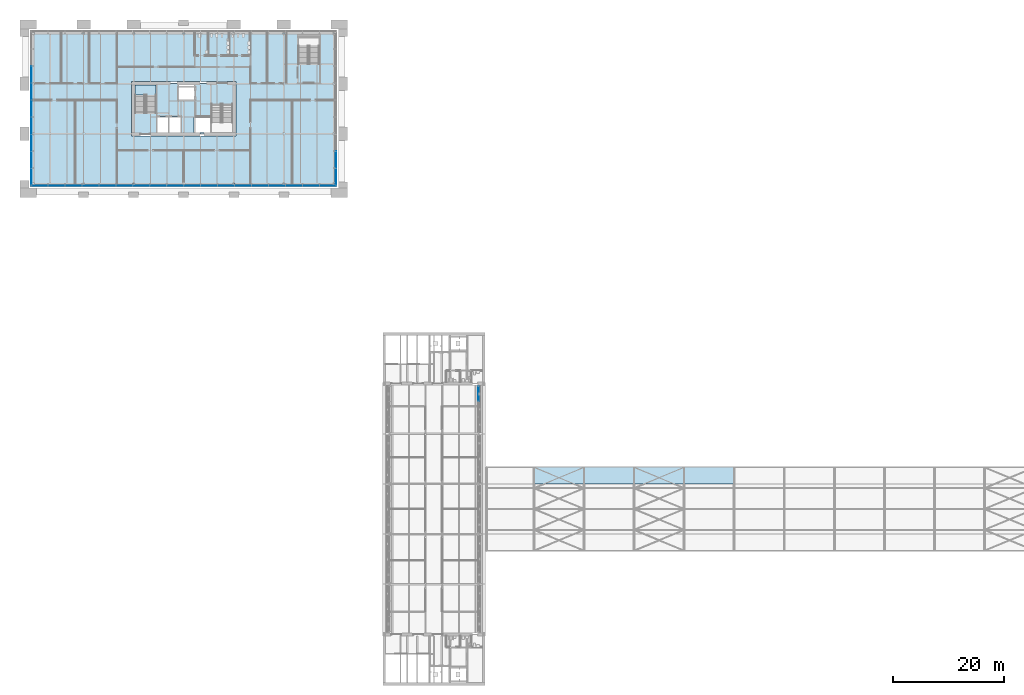
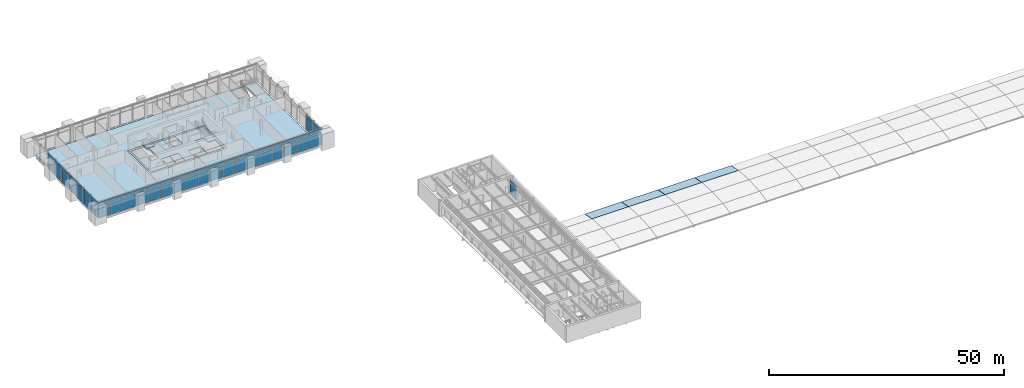
# One storey, part 17 of 43: 56 plates, 7 slabs, 5 elements without a shape of their own.
"""IFC4 building model written with IfcOpenShell, lengths in metres."""

import ifcopenshell
import ifcopenshell.guid

model = None  # the IFC model being written
_history = None  # IfcOwnerHistory: only IFC2X3 demands one
_inside = {}  # id of a spatial element -> (the spatial element, [elements in it])
_under = {}  # id of a project, library or spatial element -> (it, [spatial elements below it])
_declared = {}  # id of a project -> (the project, [libraries it declares])
_typed = {}  # id of a type object -> (the type object, [elements of that type])
_made_of = {}  # id of a material, layer set ... -> (it, [elements and type objects made of it])


def new_model(schema):
    """Start an empty IFC model of exactly this schema.

    Asked for "IFC4X3", IfcOpenShell would pick the latest addendum, in which some entities
    have other attributes; the version numbers below select the first issue.
    IFC2X3 requires an IfcOwnerHistory on every rooted entity: one is made here for all.
    """
    global model, _history
    if schema == "IFC4X3":
        model = ifcopenshell.file(schema_version=(4, 3, 0, 0))
    else:
        model = ifcopenshell.file(schema=schema)
    _inside.clear()
    _under.clear()
    _declared.clear()
    _typed.clear()
    _made_of.clear()
    _history = None
    if model.schema == "IFC2X3":
        org = make("IfcOrganization", Name="unknown")
        user = make(
            "IfcPersonAndOrganization",
            ThePerson=make("IfcPerson", FamilyName="unknown"),
            TheOrganization=org,
        )
        app = make(
            "IfcApplication",
            ApplicationDeveloper=org,
            Version="unknown",
            ApplicationFullName="unknown",
            ApplicationIdentifier="unknown",
        )
        _history = make(
            "IfcOwnerHistory",
            OwningUser=user,
            OwningApplication=app,
            ChangeAction="ADDED",
            CreationDate=0,
        )
    return model


def make(cls, **values):
    """One entity of the class cls with the attributes given. An attribute that is None is left unset."""
    return model.create_entity(
        cls, **{name: value for name, value in values.items() if value is not None}
    )


def rooted(cls, **values):
    """An entity with a GlobalId (a new one), such as an element, a storey or a relation."""
    return make(cls, GlobalId=ifcopenshell.guid.new(), OwnerHistory=_history, **values)


def si_unit(unit_type, name, prefix=None):
    """IfcSIUnit, for example si_unit("LENGTHUNIT", "METRE", prefix="MILLI")."""
    return make("IfcSIUnit", UnitType=unit_type, Prefix=prefix, Name=name)


def assignment(units):
    """IfcUnitAssignment: the units of a project."""
    return None if units is None else make("IfcUnitAssignment", Units=units)


def point(xyz):
    """IfcCartesianPoint."""
    return None if xyz is None else make("IfcCartesianPoint", Coordinates=xyz)


def direction(xyz):
    """IfcDirection."""
    return None if xyz is None else make("IfcDirection", DirectionRatios=xyz)


def frame(location, z_axis=None, x_axis=None):
    """IfcAxis2Placement3D, a coordinate frame: its origin and axes. An axis left out is left unset."""
    return make(
        "IfcAxis2Placement3D",
        Location=point(location),
        Axis=direction(z_axis),
        RefDirection=direction(x_axis),
    )


def frame_2d(location, x_axis=None):
    """IfcAxis2Placement2D, a coordinate frame in the plane: its origin and x axis."""
    return make(
        "IfcAxis2Placement2D", Location=point(location), RefDirection=direction(x_axis)
    )


def origin():
    """The frame at (0, 0, 0) with its axes left unset."""
    return frame((0.0, 0.0, 0.0))


def origin_2d():
    """The frame at (0, 0) in the plane with its x axis left unset."""
    return frame_2d((0.0, 0.0))


def place(relative_to, where):
    """IfcLocalPlacement: puts the frame where relative to a parent placement (None: the world)."""
    return make(
        "IfcLocalPlacement", PlacementRelTo=relative_to, RelativePlacement=where
    )


def context(
    kind, dimensions, precision=None, world=None, true_north=None, identifier=None
):
    """IfcGeometricRepresentationContext, for example the 3D "Model" context."""
    return make(
        "IfcGeometricRepresentationContext",
        ContextIdentifier=identifier,
        ContextType=kind,
        CoordinateSpaceDimension=dimensions,
        Precision=precision,
        WorldCoordinateSystem=world,
        TrueNorth=true_north,
    )


def subcontext(parent, identifier, kind, view, scale=None):
    """IfcGeometricRepresentationSubContext, for example "Body" below "Model"."""
    return make(
        "IfcGeometricRepresentationSubContext",
        ContextIdentifier=identifier,
        ContextType=kind,
        ParentContext=parent,
        TargetScale=scale,
        TargetView=view,
    )


def project(units=None, contexts=None):
    """IfcProject with its units and contexts."""
    return rooted(
        "IfcProject",
        Name="project",
        RepresentationContexts=contexts,
        UnitsInContext=assignment(units),
    )


def spatial(cls, under=None, at=None, **own):
    """A site, building, storey or space (cls), placed at a placement, below another one or the project."""
    s = rooted(cls, ObjectPlacement=at, **own)
    if under is not None:
        _under.setdefault(under.id(), (under, []))[1].append(s)
    return s


def polyline(points):
    """IfcPolyline through the points."""
    return make("IfcPolyline", Points=[point(p) for p in points])


def profile(cls, at=None, kind="AREA", **sizes):
    """A parametric profile (cls). Its sizes go by their IFC names, for example OverallWidth=200.0."""
    return make(cls, ProfileType=kind, Position=at, **sizes)


def rectangle(**sizes):
    """IfcRectangleProfileDef."""
    return profile("IfcRectangleProfileDef", **sizes)


def outline(outer, holes=None, kind="AREA"):
    """IfcArbitraryClosedProfileDef: a profile drawn as a closed curve; with holes, ...WithVoids."""
    if holes is None:
        return make("IfcArbitraryClosedProfileDef", ProfileType=kind, OuterCurve=outer)
    return make(
        "IfcArbitraryProfileDefWithVoids",
        ProfileType=kind,
        OuterCurve=outer,
        InnerCurves=holes,
    )


def extrude(swept, where, along, depth):
    """IfcExtrudedAreaSolid: the profile swept, set in the frame where, extruded along a direction by depth."""
    return make(
        "IfcExtrudedAreaSolid",
        SweptArea=swept,
        Position=where,
        ExtrudedDirection=direction(along),
        Depth=depth,
    )


def shape(context_of_items, identifier, shape_type, items):
    """IfcShapeRepresentation: the items that make up one representation, for example the "Body"."""
    return make(
        "IfcShapeRepresentation",
        ContextOfItems=context_of_items,
        RepresentationIdentifier=identifier,
        RepresentationType=shape_type,
        Items=items,
    )


def material(Name=None, Category=None):
    """IfcMaterial."""
    return make("IfcMaterial", Name=Name, Category=Category)


def layer(
    of_material, thickness, ventilated=None, Name=None, Category=None, Priority=None
):
    """IfcMaterialLayer: one layer of a wall or slab, of a material (None: an air gap)."""
    return make(
        "IfcMaterialLayer",
        Material=of_material,
        LayerThickness=thickness,
        IsVentilated=ventilated,
        Name=Name,
        Category=Category,
        Priority=Priority,
    )


def layer_set(layers, Name=None):
    """IfcMaterialLayerSet."""
    return make("IfcMaterialLayerSet", MaterialLayers=layers, LayerSetName=Name)


def made_of(thing, what):
    """Note that an element or type object is made of a material, layer set ...; save() writes the relation."""
    if what is not None:
        _made_of.setdefault(what.id(), (what, []))[1].append(thing)
    return thing


def type_object(cls, material=None, **own):
    """A type object (cls), such as IfcWallType, which elements share."""
    return made_of(rooted(cls, **own), material)


def element(
    cls,
    number,
    at=None,
    inside=None,
    cuts=None,
    type_object=None,
    material=None,
    context=None,
    identifier="Body",
    shape_type=None,
    held_by="IfcProductDefinitionShape",
    body=None,
    shapes=None,
    **own,
):
    """One element of the class cls, such as IfcWall. Its Tag is "e" and its number.

    at: its placement. inside: the storey or other place that contains it. cuts: it is an
    opening in that element (IfcRelVoidsElement). A single representation is given by context,
    identifier, shape_type and body (its items); several are given by shapes. held_by: the class
    of the entity that holds the representations. save() writes the other relations.
    """
    e = rooted(cls, Tag="e%d" % number, ObjectPlacement=at, **own)
    if body is not None:
        shapes = [shape(context, identifier, shape_type, body)]
    if shapes is not None:
        e.Representation = make(held_by, Representations=shapes)
    if inside is not None:
        _inside.setdefault(inside.id(), (inside, []))[1].append(e)
    if cuts is not None:
        rooted(
            "IfcRelVoidsElement", RelatingBuildingElement=cuts, RelatedOpeningElement=e
        )
    if type_object is not None:
        _typed.setdefault(type_object.id(), (type_object, []))[1].append(e)
    return made_of(e, material)


def aggregate(whole, parts):
    """IfcRelAggregates: a whole, such as a stair, and the parts it consists of."""
    return rooted("IfcRelAggregates", RelatingObject=whole, RelatedObjects=parts)


def save(model, path):
    """Write the relations noted so far, then the file.

    IfcRelAggregates (storeys below a building ...), IfcRelContainedInSpatialStructure (elements
    in a storey), IfcRelDefinesByType, IfcRelAssociatesMaterial and IfcRelDeclares: one each for
    every whole, place, type object, material and project.
    """
    for whole, parts in _under.values():
        aggregate(whole, parts)
    for where, things in _inside.values():
        rooted(
            "IfcRelContainedInSpatialStructure",
            RelatedElements=things,
            RelatingStructure=where,
        )
    for kind, things in _typed.values():
        rooted("IfcRelDefinesByType", RelatedObjects=things, RelatingType=kind)
    for what, things in _made_of.values():
        rooted("IfcRelAssociatesMaterial", RelatedObjects=things, RelatingMaterial=what)
    for by, libraries in _declared.values():
        rooted("IfcRelDeclares", RelatingContext=by, RelatedDefinitions=libraries)
    model.write(path)


model = new_model("IFC4")

# Units and contexts
model_context = context("Model", 3, precision=1e-05, world=origin(), true_north=direction((0.0, 1.0)))
body_context = subcontext(model_context, "Body", "Model", "MODEL_VIEW")
ifc_project = project(units=[si_unit("LENGTHUNIT", "METRE"), si_unit("AREAUNIT", "SQUARE_METRE"), si_unit("VOLUMEUNIT", "CUBIC_METRE"), si_unit("PLANEANGLEUNIT", "RADIAN"), si_unit("MASSUNIT", "GRAM", prefix="KILO")], contexts=[model_context])

# Site, building, storey
site_placement = place(None, origin())
site = spatial("IfcSite", under=ifc_project, at=site_placement, CompositionType="ELEMENT")
building_placement = place(site_placement, origin())
building = spatial("IfcBuilding", under=site, at=building_placement, Name="Baradari Gate Terminus", CompositionType="ELEMENT")
storey_placement = place(building_placement, frame((0.0, 0.0, 20.10009765625)))
storey = spatial("IfcBuildingStorey", under=building, at=storey_placement, Name="L04", CompositionType="ELEMENT", Elevation=20.10009765625)

# Slabs
ifc_material_1 = material(Name="Concrete C35/45", Category="concrete")
ifc_layer_1 = layer(ifc_material_1, 0.1298828125)
ifc_layer_set_1 = layer_set([ifc_layer_1], Name="Concrete C35/45")
slab_type_1 = type_object("IfcSlabType", Name="Composite floor slab SL1 130", PredefinedType="FLOOR", material=ifc_layer_set_1)
slab_1_placement = place(storey_placement, frame((0.0, 0.0, -0.130126953125)))
element("IfcSlab", 1, at=slab_1_placement, inside=storey, type_object=slab_type_1, Name="Block floor", PredefinedType="FLOOR", context=body_context, shape_type="SweptSolid", body=[
    extrude(outline(polyline([(63.0, 117.0), (63.0, 144.0), (9.0, 144.0), (9.0, 117.0), (63.0, 117.0)]), holes=[polyline([(56.60009765625, 143.60009765625), (56.60009765625, 140.320068359375), (58.39990234375, 140.320068359375), (58.39990234375, 138.5), (60.39990234375, 138.5), (60.39990234375, 143.60009765625), (56.60009765625, 143.60009765625)]), polyline([(45.375, 134.77490234375), (45.375, 135.375), (26.625, 135.375), (26.625, 134.77490234375), (26.625, 126.22509765625), (26.625, 125.625), (45.375, 125.625), (45.375, 126.22509765625), (45.375, 134.77490234375)])]), origin(), (0.0, 0.0, 1.0), 0.130126953125),
])
slab_2_placement = place(storey_placement, frame((0.0, 0.0, -0.130126953125)))
element("IfcSlab", 2, at=slab_2_placement, inside=storey, type_object=slab_type_1, Name="Core floor CT", PredefinedType="FLOOR", context=body_context, shape_type="SweptSolid", body=[
    extrude(outline(polyline([(27.0, 135.0), (27.0, 126.0), (45.0, 126.0), (45.0, 135.0), (27.0, 135.0)]), holes=[polyline([(44.77490234375, 126.22509765625), (44.77490234375, 129.5048828125), (42.97509765625, 129.5048828125), (42.97509765625, 131.324951171875), (40.97509765625, 131.324951171875), (40.97509765625, 126.22509765625), (44.77490234375, 126.22509765625)]), polyline([(40.77490234375, 128.925048828125), (37.824951171875, 128.925048828125), (37.824951171875, 126.22509765625), (40.77490234375, 126.22509765625), (40.77490234375, 128.925048828125)]), polyline([(38.02490234375, 131.875), (38.02490234375, 134.77490234375), (35.125, 134.77490234375), (35.125, 131.875), (38.02490234375, 131.875)]), polyline([(35.425048828125, 129.125), (33.425048828125, 129.125), (33.425048828125, 126.22509765625), (35.425048828125, 126.22509765625), (35.425048828125, 129.125)]), polyline([(31.22509765625, 129.125), (31.22509765625, 126.22509765625), (33.22509765625, 126.22509765625), (33.22509765625, 129.125), (31.22509765625, 129.125)]), polyline([(27.22509765625, 134.77490234375), (27.22509765625, 131.4951171875), (29.02490234375, 131.4951171875), (29.02490234375, 129.675048828125), (31.02490234375, 129.675048828125), (31.02490234375, 134.77490234375), (27.22509765625, 134.77490234375)])]), origin(), (0.0, 0.0, 1.0), 0.130126953125),
])

# Curtain wall, plates
ifc_material_2 = material(Name="Aluminium 6063-T6", Category="aluminium")
curtain_wall_type_1 = type_object("IfcCurtainWallType", Name="Curtain wall CW-1 block unitised, zone L02-L05", PredefinedType="NOTDEFINED", material=ifc_material_2)
curtain_wall_1_placement = place(storey_placement, origin())
curtain_wall_1 = element("IfcCurtainWall", 3, at=curtain_wall_1_placement, inside=storey, type_object=curtain_wall_type_1, Name="Curtain wall CW-1 Operations block S face L04", PredefinedType="NOTDEFINED")
ifc_material_3 = material(Name="Insulating glass unit", Category="glass")
ifc_layer_2 = layer(ifc_material_3, 0.030029296875)
ifc_layer_set_2 = layer_set([ifc_layer_2], Name="Insulating glass unit")
plate_type_1 = type_object("IfcPlateType", Name="Curtain wall glazing unit CP-1 30", PredefinedType="CURTAIN_PANEL", material=ifc_layer_set_2)
plate_1_placement = place(storey_placement, frame((10.072265625, 116.6298828125, 0.06494140625), z_axis=(0.0, 0.0, 1.0), x_axis=(1.0, 0.0, 0.0)))
plate_1 = element("IfcPlate", 4, at=plate_1_placement, type_object=plate_type_1, Name="CW-1 panel 1.1", PredefinedType="CURTAIN_PANEL", context=body_context, shape_type="SweptSolid", body=[
    extrude(rectangle(XDim=2.954833984375, YDim=0.030029296875, at=origin_2d()), origin(), (0.0, 0.0, 1.0), 3.202392578125),
])
plate_2_placement = place(storey_placement, frame((13.1083984375, 116.6298828125, 0.06494140625), z_axis=(0.0, 0.0, 1.0), x_axis=(1.0, 0.0, 0.0)))
plate_2 = element("IfcPlate", 5, at=plate_2_placement, type_object=plate_type_1, Name="CW-1 panel 2.1", PredefinedType="CURTAIN_PANEL", context=body_context, shape_type="SweptSolid", body=[
    extrude(rectangle(XDim=2.9873046875, YDim=0.030029296875, at=origin_2d()), origin(), (0.0, 0.0, 1.0), 3.202392578125),
])
plate_3_placement = place(storey_placement, frame((16.16064453125, 116.6298828125, 0.06494140625), z_axis=(0.0, 0.0, 1.0), x_axis=(1.0, 0.0, 0.0)))
plate_3 = element("IfcPlate", 6, at=plate_3_placement, type_object=plate_type_1, Name="CW-1 panel 3.1", PredefinedType="CURTAIN_PANEL", context=body_context, shape_type="SweptSolid", body=[
    extrude(rectangle(XDim=2.9873046875, YDim=0.030029296875, at=origin_2d()), origin(), (0.0, 0.0, 1.0), 3.202392578125),
])
plate_4_placement = place(storey_placement, frame((19.212890625, 116.6298828125, 0.06494140625), z_axis=(0.0, 0.0, 1.0), x_axis=(1.0, 0.0, 0.0)))
plate_4 = element("IfcPlate", 7, at=plate_4_placement, type_object=plate_type_1, Name="CW-1 panel 4.1", PredefinedType="CURTAIN_PANEL", context=body_context, shape_type="SweptSolid", body=[
    extrude(rectangle(XDim=2.9873046875, YDim=0.030029296875, at=origin_2d()), origin(), (0.0, 0.0, 1.0), 3.202392578125),
])
plate_5_placement = place(storey_placement, frame((22.264892578125, 116.6298828125, 0.06494140625), z_axis=(0.0, 0.0, 1.0), x_axis=(1.0, 0.0, 0.0)))
plate_5 = element("IfcPlate", 8, at=plate_5_placement, type_object=plate_type_1, Name="CW-1 panel 5.1", PredefinedType="CURTAIN_PANEL", context=body_context, shape_type="SweptSolid", body=[
    extrude(rectangle(XDim=2.9873046875, YDim=0.030029296875, at=origin_2d()), origin(), (0.0, 0.0, 1.0), 3.202392578125),
])
plate_6_placement = place(storey_placement, frame((25.317138671875, 116.6298828125, 0.06494140625), z_axis=(0.0, 0.0, 1.0), x_axis=(1.0, 0.0, 0.0)))
plate_6 = element("IfcPlate", 9, at=plate_6_placement, type_object=plate_type_1, Name="CW-1 panel 6.1", PredefinedType="CURTAIN_PANEL", context=body_context, shape_type="SweptSolid", body=[
    extrude(rectangle(XDim=2.9873046875, YDim=0.030029296875, at=origin_2d()), origin(), (0.0, 0.0, 1.0), 3.202392578125),
])
plate_7_placement = place(storey_placement, frame((28.369384765625, 116.6298828125, 0.06494140625), z_axis=(0.0, 0.0, 1.0), x_axis=(1.0, 0.0, 0.0)))
plate_7 = element("IfcPlate", 10, at=plate_7_placement, type_object=plate_type_1, Name="CW-1 panel 7.1", PredefinedType="CURTAIN_PANEL", context=body_context, shape_type="SweptSolid", body=[
    extrude(rectangle(XDim=2.9873046875, YDim=0.030029296875, at=origin_2d()), origin(), (0.0, 0.0, 1.0), 3.202392578125),
])
plate_8_placement = place(storey_placement, frame((31.421630859375, 116.6298828125, 0.06494140625), z_axis=(0.0, 0.0, 1.0), x_axis=(1.0, 0.0, 0.0)))
plate_8 = element("IfcPlate", 11, at=plate_8_placement, type_object=plate_type_1, Name="CW-1 panel 8.1", PredefinedType="CURTAIN_PANEL", context=body_context, shape_type="SweptSolid", body=[
    extrude(rectangle(XDim=2.9873046875, YDim=0.030029296875, at=origin_2d()), origin(), (0.0, 0.0, 1.0), 3.202392578125),
])
plate_9_placement = place(storey_placement, frame((34.473876953125, 116.6298828125, 0.06494140625), z_axis=(0.0, 0.0, 1.0), x_axis=(1.0, 0.0, 0.0)))
plate_9 = element("IfcPlate", 12, at=plate_9_placement, type_object=plate_type_1, Name="CW-1 panel 9.1", PredefinedType="CURTAIN_PANEL", context=body_context, shape_type="SweptSolid", body=[
    extrude(rectangle(XDim=2.9873046875, YDim=0.030029296875, at=origin_2d()), origin(), (0.0, 0.0, 1.0), 3.202392578125),
])
plate_10_placement = place(storey_placement, frame((37.526123046875, 116.6298828125, 0.06494140625), z_axis=(0.0, 0.0, 1.0), x_axis=(1.0, 0.0, 0.0)))
plate_10 = element("IfcPlate", 13, at=plate_10_placement, type_object=plate_type_1, Name="CW-1 panel 10.1", PredefinedType="CURTAIN_PANEL", context=body_context, shape_type="SweptSolid", body=[
    extrude(rectangle(XDim=2.9873046875, YDim=0.030029296875, at=origin_2d()), origin(), (0.0, 0.0, 1.0), 3.202392578125),
])
plate_11_placement = place(storey_placement, frame((40.578369140625, 116.6298828125, 0.06494140625), z_axis=(0.0, 0.0, 1.0), x_axis=(1.0, 0.0, 0.0)))
plate_11 = element("IfcPlate", 14, at=plate_11_placement, type_object=plate_type_1, Name="CW-1 panel 11.1", PredefinedType="CURTAIN_PANEL", context=body_context, shape_type="SweptSolid", body=[
    extrude(rectangle(XDim=2.9873046875, YDim=0.030029296875, at=origin_2d()), origin(), (0.0, 0.0, 1.0), 3.202392578125),
])
plate_12_placement = place(storey_placement, frame((43.630615234375, 116.6298828125, 0.06494140625), z_axis=(0.0, 0.0, 1.0), x_axis=(1.0, 0.0, 0.0)))
plate_12 = element("IfcPlate", 15, at=plate_12_placement, type_object=plate_type_1, Name="CW-1 panel 12.1", PredefinedType="CURTAIN_PANEL", context=body_context, shape_type="SweptSolid", body=[
    extrude(rectangle(XDim=2.9873046875, YDim=0.030029296875, at=origin_2d()), origin(), (0.0, 0.0, 1.0), 3.202392578125),
])
plate_13_placement = place(storey_placement, frame((46.682861328125, 116.6298828125, 0.06494140625), z_axis=(0.0, 0.0, 1.0), x_axis=(1.0, 0.0, 0.0)))
plate_13 = element("IfcPlate", 16, at=plate_13_placement, type_object=plate_type_1, Name="CW-1 panel 13.1", PredefinedType="CURTAIN_PANEL", context=body_context, shape_type="SweptSolid", body=[
    extrude(rectangle(XDim=2.9873046875, YDim=0.030029296875, at=origin_2d()), origin(), (0.0, 0.0, 1.0), 3.202392578125),
])
plate_14_placement = place(storey_placement, frame((49.735107421875, 116.6298828125, 0.06494140625), z_axis=(0.0, 0.0, 1.0), x_axis=(1.0, 0.0, 0.0)))
plate_14 = element("IfcPlate", 17, at=plate_14_placement, type_object=plate_type_1, Name="CW-1 panel 14.1", PredefinedType="CURTAIN_PANEL", context=body_context, shape_type="SweptSolid", body=[
    extrude(rectangle(XDim=2.9873046875, YDim=0.030029296875, at=origin_2d()), origin(), (0.0, 0.0, 1.0), 3.202392578125),
])
plate_15_placement = place(storey_placement, frame((52.787109375, 116.6298828125, 0.06494140625), z_axis=(0.0, 0.0, 1.0), x_axis=(1.0, 0.0, 0.0)))
plate_15 = element("IfcPlate", 18, at=plate_15_placement, type_object=plate_type_1, Name="CW-1 panel 15.1", PredefinedType="CURTAIN_PANEL", context=body_context, shape_type="SweptSolid", body=[
    extrude(rectangle(XDim=2.9873046875, YDim=0.030029296875, at=origin_2d()), origin(), (0.0, 0.0, 1.0), 3.202392578125),
])
plate_16_placement = place(storey_placement, frame((55.83935546875, 116.6298828125, 0.06494140625), z_axis=(0.0, 0.0, 1.0), x_axis=(1.0, 0.0, 0.0)))
plate_16 = element("IfcPlate", 19, at=plate_16_placement, type_object=plate_type_1, Name="CW-1 panel 16.1", PredefinedType="CURTAIN_PANEL", context=body_context, shape_type="SweptSolid", body=[
    extrude(rectangle(XDim=2.9873046875, YDim=0.030029296875, at=origin_2d()), origin(), (0.0, 0.0, 1.0), 3.202392578125),
])
plate_17_placement = place(storey_placement, frame((58.8916015625, 116.6298828125, 0.06494140625), z_axis=(0.0, 0.0, 1.0), x_axis=(1.0, 0.0, 0.0)))
plate_17 = element("IfcPlate", 20, at=plate_17_placement, type_object=plate_type_1, Name="CW-1 panel 17.1", PredefinedType="CURTAIN_PANEL", context=body_context, shape_type="SweptSolid", body=[
    extrude(rectangle(XDim=2.9873046875, YDim=0.030029296875, at=origin_2d()), origin(), (0.0, 0.0, 1.0), 3.202392578125),
])
plate_18_placement = place(storey_placement, frame((61.927734375, 116.6298828125, 0.06494140625), z_axis=(0.0, 0.0, 1.0), x_axis=(1.0, 0.0, 0.0)))
plate_18 = element("IfcPlate", 21, at=plate_18_placement, type_object=plate_type_1, Name="CW-1 panel 18.1", PredefinedType="CURTAIN_PANEL", context=body_context, shape_type="SweptSolid", body=[
    extrude(rectangle(XDim=2.954833984375, YDim=0.030029296875, at=origin_2d()), origin(), (0.0, 0.0, 1.0), 3.202392578125),
])

curtain_wall_2_placement = place(storey_placement, origin())
curtain_wall_2 = element("IfcCurtainWall", 22, at=curtain_wall_2_placement, inside=storey, type_object=curtain_wall_type_1, Name="Curtain wall CW-1 Operations block W face L04", PredefinedType="NOTDEFINED")
plate_19_placement = place(storey_placement, frame((8.6298828125, 118.2763671875, 0.06494140625), z_axis=(0.0, 0.0, 1.0), x_axis=(0.0, 1.0, 0.0)))
plate_19 = element("IfcPlate", 23, at=plate_19_placement, type_object=plate_type_1, Name="CW-1 panel 1.1", PredefinedType="CURTAIN_PANEL", context=body_context, shape_type="SweptSolid", body=[
    extrude(rectangle(XDim=2.96240234375, YDim=0.030029296875, at=origin_2d()), origin(), (0.0, 0.0, 1.0), 3.202392578125),
])
plate_20_placement = place(storey_placement, frame((8.6298828125, 121.320068359375, 0.06494140625), z_axis=(0.0, 0.0, 1.0), x_axis=(0.0, 1.0, 0.0)))
plate_20 = element("IfcPlate", 24, at=plate_20_placement, type_object=plate_type_1, Name="CW-1 panel 2.1", PredefinedType="CURTAIN_PANEL", context=body_context, shape_type="SweptSolid", body=[
    extrude(rectangle(XDim=2.9951171875, YDim=0.030029296875, at=origin_2d()), origin(), (0.0, 0.0, 1.0), 3.202392578125),
])
plate_21_placement = place(storey_placement, frame((8.6298828125, 124.3798828125, 0.06494140625), z_axis=(0.0, 0.0, 1.0), x_axis=(0.0, 1.0, 0.0)))
plate_21 = element("IfcPlate", 25, at=plate_21_placement, type_object=plate_type_1, Name="CW-1 panel 3.1", PredefinedType="CURTAIN_PANEL", context=body_context, shape_type="SweptSolid", body=[
    extrude(rectangle(XDim=2.9951171875, YDim=0.030029296875, at=origin_2d()), origin(), (0.0, 0.0, 1.0), 3.202392578125),
])
plate_22_placement = place(storey_placement, frame((8.6298828125, 127.43994140625, 0.06494140625), z_axis=(0.0, 0.0, 1.0), x_axis=(0.0, 1.0, 0.0)))
plate_22 = element("IfcPlate", 26, at=plate_22_placement, type_object=plate_type_1, Name="CW-1 panel 4.1", PredefinedType="CURTAIN_PANEL", context=body_context, shape_type="SweptSolid", body=[
    extrude(rectangle(XDim=2.9951171875, YDim=0.030029296875, at=origin_2d()), origin(), (0.0, 0.0, 1.0), 3.202392578125),
])
plate_23_placement = place(storey_placement, frame((8.6298828125, 130.5, 0.06494140625), z_axis=(0.0, 0.0, 1.0), x_axis=(0.0, 1.0, 0.0)))
plate_23 = element("IfcPlate", 27, at=plate_23_placement, type_object=plate_type_1, Name="CW-1 panel 5.1", PredefinedType="CURTAIN_PANEL", context=body_context, shape_type="SweptSolid", body=[
    extrude(rectangle(XDim=2.9951171875, YDim=0.030029296875, at=origin_2d()), origin(), (0.0, 0.0, 1.0), 3.202392578125),
])
plate_24_placement = place(storey_placement, frame((8.6298828125, 133.56005859375, 0.06494140625), z_axis=(0.0, 0.0, 1.0), x_axis=(0.0, 1.0, 0.0)))
plate_24 = element("IfcPlate", 28, at=plate_24_placement, type_object=plate_type_1, Name="CW-1 panel 6.1", PredefinedType="CURTAIN_PANEL", context=body_context, shape_type="SweptSolid", body=[
    extrude(rectangle(XDim=2.9951171875, YDim=0.030029296875, at=origin_2d()), origin(), (0.0, 0.0, 1.0), 3.202392578125),
])
plate_25_placement = place(storey_placement, frame((8.6298828125, 136.6201171875, 0.06494140625), z_axis=(0.0, 0.0, 1.0), x_axis=(0.0, 1.0, 0.0)))
plate_25 = element("IfcPlate", 29, at=plate_25_placement, type_object=plate_type_1, Name="CW-1 panel 7.1", PredefinedType="CURTAIN_PANEL", context=body_context, shape_type="SweptSolid", body=[
    extrude(rectangle(XDim=2.9951171875, YDim=0.030029296875, at=origin_2d()), origin(), (0.0, 0.0, 1.0), 3.202392578125),
])

curtain_wall_3_placement = place(storey_placement, origin())
curtain_wall_3 = element("IfcCurtainWall", 30, at=curtain_wall_3_placement, inside=storey, type_object=curtain_wall_type_1, Name="Curtain wall CW-1 Operations block E face L04", PredefinedType="NOTDEFINED")
plate_26_placement = place(storey_placement, frame((63.3701171875, 118.2763671875, 0.06494140625), z_axis=(0.0, 0.0, 1.0), x_axis=(0.0, 1.0, 0.0)))
plate_26 = element("IfcPlate", 31, at=plate_26_placement, type_object=plate_type_1, Name="CW-1 panel 1.1", PredefinedType="CURTAIN_PANEL", context=body_context, shape_type="SweptSolid", body=[
    extrude(rectangle(XDim=2.96240234375, YDim=0.030029296875, at=origin_2d()), origin(), (0.0, 0.0, 1.0), 3.202392578125),
])
plate_27_placement = place(storey_placement, frame((63.3701171875, 121.320068359375, 0.06494140625), z_axis=(0.0, 0.0, 1.0), x_axis=(0.0, 1.0, 0.0)))
plate_27 = element("IfcPlate", 32, at=plate_27_placement, type_object=plate_type_1, Name="CW-1 panel 2.1", PredefinedType="CURTAIN_PANEL", context=body_context, shape_type="SweptSolid", body=[
    extrude(rectangle(XDim=2.9951171875, YDim=0.030029296875, at=origin_2d()), origin(), (0.0, 0.0, 1.0), 3.202392578125),
])

# Plate
ifc_material_4 = material(Name="Back-painted glass", Category="glass")
ifc_layer_3 = layer(ifc_material_4, 0.070068359375)
ifc_layer_set_3 = layer_set([ifc_layer_3], Name="Back-painted glass")
plate_type_2 = type_object("IfcPlateType", Name="Curtain wall spandrel panel CP-S1 70", PredefinedType="CURTAIN_PANEL", material=ifc_layer_set_3)
plate_28_placement = place(storey_placement, frame((10.072265625, 116.6298828125, 3.33251953125), z_axis=(0.0, 0.0, 1.0), x_axis=(1.0, 0.0, 0.0)))
plate_28 = element("IfcPlate", 33, at=plate_28_placement, type_object=plate_type_2, Name="CW-1 spandrel panel 1.2", PredefinedType="CURTAIN_PANEL", context=body_context, shape_type="SweptSolid", body=[
    extrude(rectangle(XDim=2.954833984375, YDim=0.070068359375, at=origin_2d()), origin(), (0.0, 0.0, 1.0), 0.802490234375),
])

plate_29_placement = place(storey_placement, frame((13.1083984375, 116.6298828125, 3.33251953125), z_axis=(0.0, 0.0, 1.0), x_axis=(1.0, 0.0, 0.0)))
plate_29 = element("IfcPlate", 34, at=plate_29_placement, type_object=plate_type_2, Name="CW-1 spandrel panel 2.2", PredefinedType="CURTAIN_PANEL", context=body_context, shape_type="SweptSolid", body=[
    extrude(rectangle(XDim=2.9873046875, YDim=0.070068359375, at=origin_2d()), origin(), (0.0, 0.0, 1.0), 0.802490234375),
])

plate_30_placement = place(storey_placement, frame((16.16064453125, 116.6298828125, 3.33251953125), z_axis=(0.0, 0.0, 1.0), x_axis=(1.0, 0.0, 0.0)))
plate_30 = element("IfcPlate", 35, at=plate_30_placement, type_object=plate_type_2, Name="CW-1 spandrel panel 3.2", PredefinedType="CURTAIN_PANEL", context=body_context, shape_type="SweptSolid", body=[
    extrude(rectangle(XDim=2.9873046875, YDim=0.070068359375, at=origin_2d()), origin(), (0.0, 0.0, 1.0), 0.802490234375),
])

plate_31_placement = place(storey_placement, frame((19.212890625, 116.6298828125, 3.33251953125), z_axis=(0.0, 0.0, 1.0), x_axis=(1.0, 0.0, 0.0)))
plate_31 = element("IfcPlate", 36, at=plate_31_placement, type_object=plate_type_2, Name="CW-1 spandrel panel 4.2", PredefinedType="CURTAIN_PANEL", context=body_context, shape_type="SweptSolid", body=[
    extrude(rectangle(XDim=2.9873046875, YDim=0.070068359375, at=origin_2d()), origin(), (0.0, 0.0, 1.0), 0.802490234375),
])

plate_32_placement = place(storey_placement, frame((22.264892578125, 116.6298828125, 3.33251953125), z_axis=(0.0, 0.0, 1.0), x_axis=(1.0, 0.0, 0.0)))
plate_32 = element("IfcPlate", 37, at=plate_32_placement, type_object=plate_type_2, Name="CW-1 spandrel panel 5.2", PredefinedType="CURTAIN_PANEL", context=body_context, shape_type="SweptSolid", body=[
    extrude(rectangle(XDim=2.9873046875, YDim=0.070068359375, at=origin_2d()), origin(), (0.0, 0.0, 1.0), 0.802490234375),
])

plate_33_placement = place(storey_placement, frame((25.317138671875, 116.6298828125, 3.33251953125), z_axis=(0.0, 0.0, 1.0), x_axis=(1.0, 0.0, 0.0)))
plate_33 = element("IfcPlate", 38, at=plate_33_placement, type_object=plate_type_2, Name="CW-1 spandrel panel 6.2", PredefinedType="CURTAIN_PANEL", context=body_context, shape_type="SweptSolid", body=[
    extrude(rectangle(XDim=2.9873046875, YDim=0.070068359375, at=origin_2d()), origin(), (0.0, 0.0, 1.0), 0.802490234375),
])

plate_34_placement = place(storey_placement, frame((28.369384765625, 116.6298828125, 3.33251953125), z_axis=(0.0, 0.0, 1.0), x_axis=(1.0, 0.0, 0.0)))
plate_34 = element("IfcPlate", 39, at=plate_34_placement, type_object=plate_type_2, Name="CW-1 spandrel panel 7.2", PredefinedType="CURTAIN_PANEL", context=body_context, shape_type="SweptSolid", body=[
    extrude(rectangle(XDim=2.9873046875, YDim=0.070068359375, at=origin_2d()), origin(), (0.0, 0.0, 1.0), 0.802490234375),
])

plate_35_placement = place(storey_placement, frame((31.421630859375, 116.6298828125, 3.33251953125), z_axis=(0.0, 0.0, 1.0), x_axis=(1.0, 0.0, 0.0)))
plate_35 = element("IfcPlate", 40, at=plate_35_placement, type_object=plate_type_2, Name="CW-1 spandrel panel 8.2", PredefinedType="CURTAIN_PANEL", context=body_context, shape_type="SweptSolid", body=[
    extrude(rectangle(XDim=2.9873046875, YDim=0.070068359375, at=origin_2d()), origin(), (0.0, 0.0, 1.0), 0.802490234375),
])

plate_36_placement = place(storey_placement, frame((34.473876953125, 116.6298828125, 3.33251953125), z_axis=(0.0, 0.0, 1.0), x_axis=(1.0, 0.0, 0.0)))
plate_36 = element("IfcPlate", 41, at=plate_36_placement, type_object=plate_type_2, Name="CW-1 spandrel panel 9.2", PredefinedType="CURTAIN_PANEL", context=body_context, shape_type="SweptSolid", body=[
    extrude(rectangle(XDim=2.9873046875, YDim=0.070068359375, at=origin_2d()), origin(), (0.0, 0.0, 1.0), 0.802490234375),
])

plate_37_placement = place(storey_placement, frame((37.526123046875, 116.6298828125, 3.33251953125), z_axis=(0.0, 0.0, 1.0), x_axis=(1.0, 0.0, 0.0)))
plate_37 = element("IfcPlate", 42, at=plate_37_placement, type_object=plate_type_2, Name="CW-1 spandrel panel 10.2", PredefinedType="CURTAIN_PANEL", context=body_context, shape_type="SweptSolid", body=[
    extrude(rectangle(XDim=2.9873046875, YDim=0.070068359375, at=origin_2d()), origin(), (0.0, 0.0, 1.0), 0.802490234375),
])

plate_38_placement = place(storey_placement, frame((40.578369140625, 116.6298828125, 3.33251953125), z_axis=(0.0, 0.0, 1.0), x_axis=(1.0, 0.0, 0.0)))
plate_38 = element("IfcPlate", 43, at=plate_38_placement, type_object=plate_type_2, Name="CW-1 spandrel panel 11.2", PredefinedType="CURTAIN_PANEL", context=body_context, shape_type="SweptSolid", body=[
    extrude(rectangle(XDim=2.9873046875, YDim=0.070068359375, at=origin_2d()), origin(), (0.0, 0.0, 1.0), 0.802490234375),
])

plate_39_placement = place(storey_placement, frame((43.630615234375, 116.6298828125, 3.33251953125), z_axis=(0.0, 0.0, 1.0), x_axis=(1.0, 0.0, 0.0)))
plate_39 = element("IfcPlate", 44, at=plate_39_placement, type_object=plate_type_2, Name="CW-1 spandrel panel 12.2", PredefinedType="CURTAIN_PANEL", context=body_context, shape_type="SweptSolid", body=[
    extrude(rectangle(XDim=2.9873046875, YDim=0.070068359375, at=origin_2d()), origin(), (0.0, 0.0, 1.0), 0.802490234375),
])

plate_40_placement = place(storey_placement, frame((46.682861328125, 116.6298828125, 3.33251953125), z_axis=(0.0, 0.0, 1.0), x_axis=(1.0, 0.0, 0.0)))
plate_40 = element("IfcPlate", 45, at=plate_40_placement, type_object=plate_type_2, Name="CW-1 spandrel panel 13.2", PredefinedType="CURTAIN_PANEL", context=body_context, shape_type="SweptSolid", body=[
    extrude(rectangle(XDim=2.9873046875, YDim=0.070068359375, at=origin_2d()), origin(), (0.0, 0.0, 1.0), 0.802490234375),
])

plate_41_placement = place(storey_placement, frame((49.735107421875, 116.6298828125, 3.33251953125), z_axis=(0.0, 0.0, 1.0), x_axis=(1.0, 0.0, 0.0)))
plate_41 = element("IfcPlate", 46, at=plate_41_placement, type_object=plate_type_2, Name="CW-1 spandrel panel 14.2", PredefinedType="CURTAIN_PANEL", context=body_context, shape_type="SweptSolid", body=[
    extrude(rectangle(XDim=2.9873046875, YDim=0.070068359375, at=origin_2d()), origin(), (0.0, 0.0, 1.0), 0.802490234375),
])

plate_42_placement = place(storey_placement, frame((52.787109375, 116.6298828125, 3.33251953125), z_axis=(0.0, 0.0, 1.0), x_axis=(1.0, 0.0, 0.0)))
plate_42 = element("IfcPlate", 47, at=plate_42_placement, type_object=plate_type_2, Name="CW-1 spandrel panel 15.2", PredefinedType="CURTAIN_PANEL", context=body_context, shape_type="SweptSolid", body=[
    extrude(rectangle(XDim=2.9873046875, YDim=0.070068359375, at=origin_2d()), origin(), (0.0, 0.0, 1.0), 0.802490234375),
])

plate_43_placement = place(storey_placement, frame((55.83935546875, 116.6298828125, 3.33251953125), z_axis=(0.0, 0.0, 1.0), x_axis=(1.0, 0.0, 0.0)))
plate_43 = element("IfcPlate", 48, at=plate_43_placement, type_object=plate_type_2, Name="CW-1 spandrel panel 16.2", PredefinedType="CURTAIN_PANEL", context=body_context, shape_type="SweptSolid", body=[
    extrude(rectangle(XDim=2.9873046875, YDim=0.070068359375, at=origin_2d()), origin(), (0.0, 0.0, 1.0), 0.802490234375),
])

plate_44_placement = place(storey_placement, frame((58.8916015625, 116.6298828125, 3.33251953125), z_axis=(0.0, 0.0, 1.0), x_axis=(1.0, 0.0, 0.0)))
plate_44 = element("IfcPlate", 49, at=plate_44_placement, type_object=plate_type_2, Name="CW-1 spandrel panel 17.2", PredefinedType="CURTAIN_PANEL", context=body_context, shape_type="SweptSolid", body=[
    extrude(rectangle(XDim=2.9873046875, YDim=0.070068359375, at=origin_2d()), origin(), (0.0, 0.0, 1.0), 0.802490234375),
])

plate_45_placement = place(storey_placement, frame((61.927734375, 116.6298828125, 3.33251953125), z_axis=(0.0, 0.0, 1.0), x_axis=(1.0, 0.0, 0.0)))
plate_45 = element("IfcPlate", 50, at=plate_45_placement, type_object=plate_type_2, Name="CW-1 spandrel panel 18.2", PredefinedType="CURTAIN_PANEL", context=body_context, shape_type="SweptSolid", body=[
    extrude(rectangle(XDim=2.954833984375, YDim=0.070068359375, at=origin_2d()), origin(), (0.0, 0.0, 1.0), 0.802490234375),
])

aggregate(curtain_wall_1, [plate_1, plate_28, plate_2, plate_29, plate_3, plate_30, plate_4, plate_31, plate_5, plate_32, plate_6, plate_33, plate_7, plate_34, plate_8, plate_35, plate_9, plate_36, plate_10, plate_37, plate_11, plate_38, plate_12, plate_39, plate_13, plate_40, plate_14, plate_41, plate_15, plate_42, plate_16, plate_43, plate_17, plate_44, plate_18, plate_45])

plate_46_placement = place(storey_placement, frame((8.6298828125, 118.2763671875, 3.33251953125), z_axis=(0.0, 0.0, 1.0), x_axis=(0.0, 1.0, 0.0)))
plate_46 = element("IfcPlate", 51, at=plate_46_placement, type_object=plate_type_2, Name="CW-1 spandrel panel 1.2", PredefinedType="CURTAIN_PANEL", context=body_context, shape_type="SweptSolid", body=[
    extrude(rectangle(XDim=2.96240234375, YDim=0.070068359375, at=origin_2d()), origin(), (0.0, 0.0, 1.0), 0.802490234375),
])

plate_47_placement = place(storey_placement, frame((8.6298828125, 121.320068359375, 3.33251953125), z_axis=(0.0, 0.0, 1.0), x_axis=(0.0, 1.0, 0.0)))
plate_47 = element("IfcPlate", 52, at=plate_47_placement, type_object=plate_type_2, Name="CW-1 spandrel panel 2.2", PredefinedType="CURTAIN_PANEL", context=body_context, shape_type="SweptSolid", body=[
    extrude(rectangle(XDim=2.9951171875, YDim=0.070068359375, at=origin_2d()), origin(), (0.0, 0.0, 1.0), 0.802490234375),
])

plate_48_placement = place(storey_placement, frame((8.6298828125, 124.3798828125, 3.33251953125), z_axis=(0.0, 0.0, 1.0), x_axis=(0.0, 1.0, 0.0)))
plate_48 = element("IfcPlate", 53, at=plate_48_placement, type_object=plate_type_2, Name="CW-1 spandrel panel 3.2", PredefinedType="CURTAIN_PANEL", context=body_context, shape_type="SweptSolid", body=[
    extrude(rectangle(XDim=2.9951171875, YDim=0.070068359375, at=origin_2d()), origin(), (0.0, 0.0, 1.0), 0.802490234375),
])

plate_49_placement = place(storey_placement, frame((8.6298828125, 127.43994140625, 3.33251953125), z_axis=(0.0, 0.0, 1.0), x_axis=(0.0, 1.0, 0.0)))
plate_49 = element("IfcPlate", 54, at=plate_49_placement, type_object=plate_type_2, Name="CW-1 spandrel panel 4.2", PredefinedType="CURTAIN_PANEL", context=body_context, shape_type="SweptSolid", body=[
    extrude(rectangle(XDim=2.9951171875, YDim=0.070068359375, at=origin_2d()), origin(), (0.0, 0.0, 1.0), 0.802490234375),
])

plate_50_placement = place(storey_placement, frame((8.6298828125, 130.5, 3.33251953125), z_axis=(0.0, 0.0, 1.0), x_axis=(0.0, 1.0, 0.0)))
plate_50 = element("IfcPlate", 55, at=plate_50_placement, type_object=plate_type_2, Name="CW-1 spandrel panel 5.2", PredefinedType="CURTAIN_PANEL", context=body_context, shape_type="SweptSolid", body=[
    extrude(rectangle(XDim=2.9951171875, YDim=0.070068359375, at=origin_2d()), origin(), (0.0, 0.0, 1.0), 0.802490234375),
])

plate_51_placement = place(storey_placement, frame((8.6298828125, 133.56005859375, 3.33251953125), z_axis=(0.0, 0.0, 1.0), x_axis=(0.0, 1.0, 0.0)))
plate_51 = element("IfcPlate", 56, at=plate_51_placement, type_object=plate_type_2, Name="CW-1 spandrel panel 6.2", PredefinedType="CURTAIN_PANEL", context=body_context, shape_type="SweptSolid", body=[
    extrude(rectangle(XDim=2.9951171875, YDim=0.070068359375, at=origin_2d()), origin(), (0.0, 0.0, 1.0), 0.802490234375),
])

plate_52_placement = place(storey_placement, frame((8.6298828125, 136.6201171875, 3.33251953125), z_axis=(0.0, 0.0, 1.0), x_axis=(0.0, 1.0, 0.0)))
plate_52 = element("IfcPlate", 57, at=plate_52_placement, type_object=plate_type_2, Name="CW-1 spandrel panel 7.2", PredefinedType="CURTAIN_PANEL", context=body_context, shape_type="SweptSolid", body=[
    extrude(rectangle(XDim=2.9951171875, YDim=0.070068359375, at=origin_2d()), origin(), (0.0, 0.0, 1.0), 0.802490234375),
])

aggregate(curtain_wall_2, [plate_19, plate_46, plate_20, plate_47, plate_21, plate_48, plate_22, plate_49, plate_23, plate_50, plate_24, plate_51, plate_25, plate_52])

plate_53_placement = place(storey_placement, frame((63.3701171875, 118.2763671875, 3.33251953125), z_axis=(0.0, 0.0, 1.0), x_axis=(0.0, 1.0, 0.0)))
plate_53 = element("IfcPlate", 58, at=plate_53_placement, type_object=plate_type_2, Name="CW-1 spandrel panel 1.2", PredefinedType="CURTAIN_PANEL", context=body_context, shape_type="SweptSolid", body=[
    extrude(rectangle(XDim=2.96240234375, YDim=0.070068359375, at=origin_2d()), origin(), (0.0, 0.0, 1.0), 0.802490234375),
])

plate_54_placement = place(storey_placement, frame((63.3701171875, 121.320068359375, 3.33251953125), z_axis=(0.0, 0.0, 1.0), x_axis=(0.0, 1.0, 0.0)))
plate_54 = element("IfcPlate", 59, at=plate_54_placement, type_object=plate_type_2, Name="CW-1 spandrel panel 2.2", PredefinedType="CURTAIN_PANEL", context=body_context, shape_type="SweptSolid", body=[
    extrude(rectangle(XDim=2.9951171875, YDim=0.070068359375, at=origin_2d()), origin(), (0.0, 0.0, 1.0), 0.802490234375),
])

aggregate(curtain_wall_3, [plate_26, plate_53, plate_27, plate_54])

# Curtain wall, plates
ifc_material_5 = material(Name="Aluminium 6063-T6", Category="aluminium")
curtain_wall_type_2 = type_object("IfcCurtainWallType", Name="Curtain wall CW-3 gate face, office floors", PredefinedType="NOTDEFINED", material=ifc_material_5)
curtain_wall_4_placement = place(storey_placement, origin())
curtain_wall_4 = element("IfcCurtainWall", 60, at=curtain_wall_4_placement, inside=storey, type_object=curtain_wall_type_2, Name="Curtain wall CW-3 gate east face L04 bay 5", PredefinedType="NOTDEFINED")
ifc_material_6 = material(Name="Back-painted glass", Category="glass")
ifc_layer_4 = layer(ifc_material_6, 0.080078125)
ifc_layer_set_4 = layer_set([ifc_layer_4], Name="Back-painted glass")
plate_type_3 = type_object("IfcPlateType", Name="Curtain wall spandrel panel CP-S3 80", PredefinedType="CURTAIN_PANEL", material=ifc_layer_set_4)
plate_55_placement = place(storey_placement, frame((88.97509765625, 79.188232421875, 0.080078125), z_axis=(0.0, 0.0, 1.0), x_axis=(0.0, 1.0, 0.0)))
plate_55 = element("IfcPlate", 61, at=plate_55_placement, type_object=plate_type_3, Name="CW-3 spandrel panel 3.1", PredefinedType="CURTAIN_PANEL", context=body_context, shape_type="SweptSolid", body=[
    extrude(rectangle(XDim=2.663330078125, YDim=0.080078125, at=origin_2d()), origin(), (0.0, 0.0, 1.0), 3.030029296875),
])
plate_56_placement = place(storey_placement, frame((88.97509765625, 79.188232421875, 3.18994140625), z_axis=(0.0, 0.0, 1.0), x_axis=(0.0, 1.0, 0.0)))
plate_56 = element("IfcPlate", 62, at=plate_56_placement, type_object=plate_type_3, Name="CW-3 spandrel panel 3.2", PredefinedType="CURTAIN_PANEL", context=body_context, shape_type="SweptSolid", body=[
    extrude(rectangle(XDim=2.663330078125, YDim=0.080078125, at=origin_2d()), origin(), (0.0, 0.0, 1.0), 0.780029296875),
])
aggregate(curtain_wall_4, [plate_55, plate_56])

# Slabs
ifc_material_7 = material(Name="Aluminium", Category="aluminium")
ifc_layer_5 = layer(ifc_material_7, 0.1201171875)
ifc_layer_set_5 = layer_set([ifc_layer_5], Name="Aluminium")
slab_type_2 = type_object("IfcSlabType", Name="Shed roof panel", PredefinedType="ROOF", material=ifc_layer_set_5)
for number, where, z_axis, x_axis, name in (
    (63, (99.0, 62.9794921875, 0.834716796875), (0.0, 0.195496148025, 0.980704469301), (1.0, 0.0, 0.0), "RF/L04/B108-RP07"),
    (64, (108.0, 62.9794921875, 0.834716796875), (0.0, 0.195496148025, 0.980704469301), (1.0, 0.0, 0.0), "RF/L04/B117-RP07"),
    (65, (117.0, 62.9794921875, 0.834716796875), (0.0, 0.195496148025, 0.980704469301), (1.0, 0.0, 0.0), "RF/L04/B126-RP07"),
    (66, (126.0, 62.9794921875, 0.834716796875), (0.0, 0.195496148025, 0.980704469301), (1.0, 0.0, 0.0), "RF/L04/B135-RP07"),
):
    element("IfcSlab", number, at=place(storey_placement, frame(where, z_axis=z_axis, x_axis=x_axis)), inside=storey, type_object=slab_type_2, Name=name, PredefinedType="ROOF", context=body_context, shape_type="SweptSolid", body=[
        extrude(outline(polyline([(0.0, 0.0), (9.0, 0.0), (9.0, 3.1807592024612696), (0.0, 3.1807592024612696), (0.0, 0.0)])), origin(), (0.0, 0.0, -1.0), 0.1201171875),
    ])

# Stair, slab
ifc_material_8 = material(Name="Concrete C32/40", Category="concrete")
stair_type = type_object("IfcStairType", Name="Exit stair ST-T1 riser 175 x 1800", PredefinedType="HALF_TURN_STAIR", material=ifc_material_8)
stair_placement = place(storey_placement, origin())
stair = element("IfcStair", 67, at=stair_placement, inside=storey, type_object=stair_type, Name="Stair ST-T1 L04 to L05", PredefinedType="HALF_TURN_STAIR")
ifc_material_9 = material(Name="Concrete C32/40", Category="concrete")
ifc_layer_6 = layer(ifc_material_9, 0.199951171875)
ifc_layer_set_6 = layer_set([ifc_layer_6], Name="Concrete C32/40")
slab_type_3 = type_object("IfcSlabType", Name="Stair landing LS-1 200", PredefinedType="LANDING", material=ifc_layer_set_6)
slab_3_placement = place(storey_placement, frame((0.0, 0.0, 1.89990234375)))
slab_3 = element("IfcSlab", 68, at=slab_3_placement, type_object=slab_type_3, Name="ST-T1 landing 1", PredefinedType="LANDING", context=body_context, shape_type="SweptSolid", body=[
    extrude(outline(polyline([(27.22509765625, 134.77490234375), (27.22509765625, 132.955078125), (29.02490234375, 132.955078125), (29.02490234375, 131.43994140625), (29.22509765625, 131.43994140625), (31.02490234375, 131.43994140625), (31.02490234375, 134.77490234375), (27.22509765625, 134.77490234375)])), origin(), (0.0, 0.0, 1.0), 0.199951171875),
])
aggregate(stair, [slab_3])

save(model, "model.ifc")
